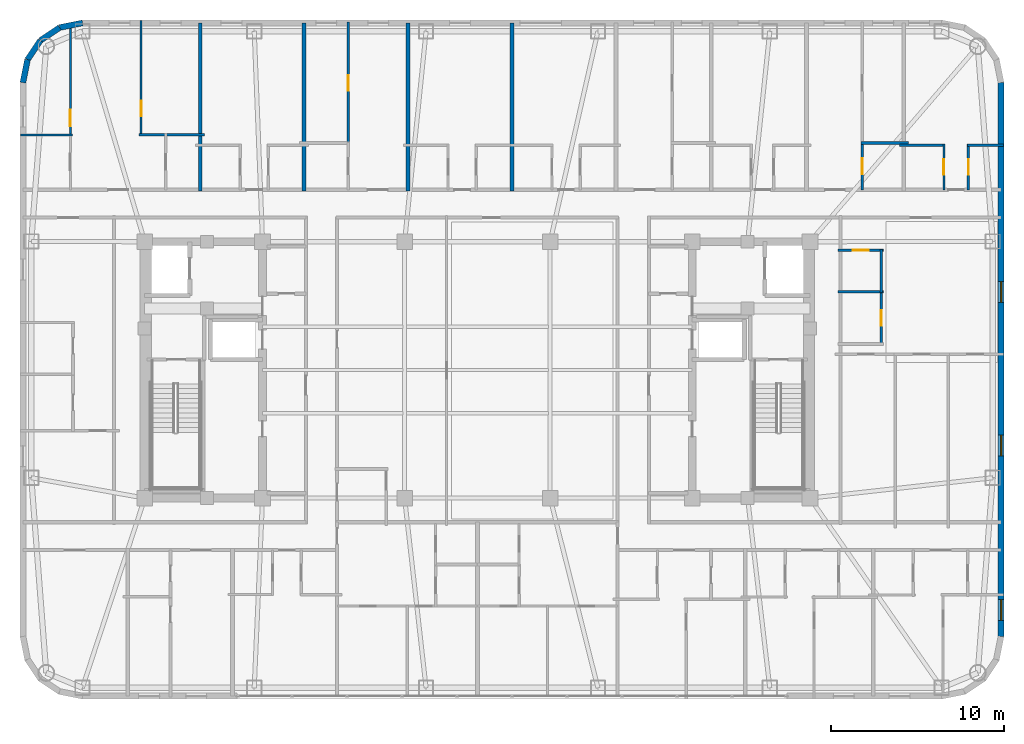
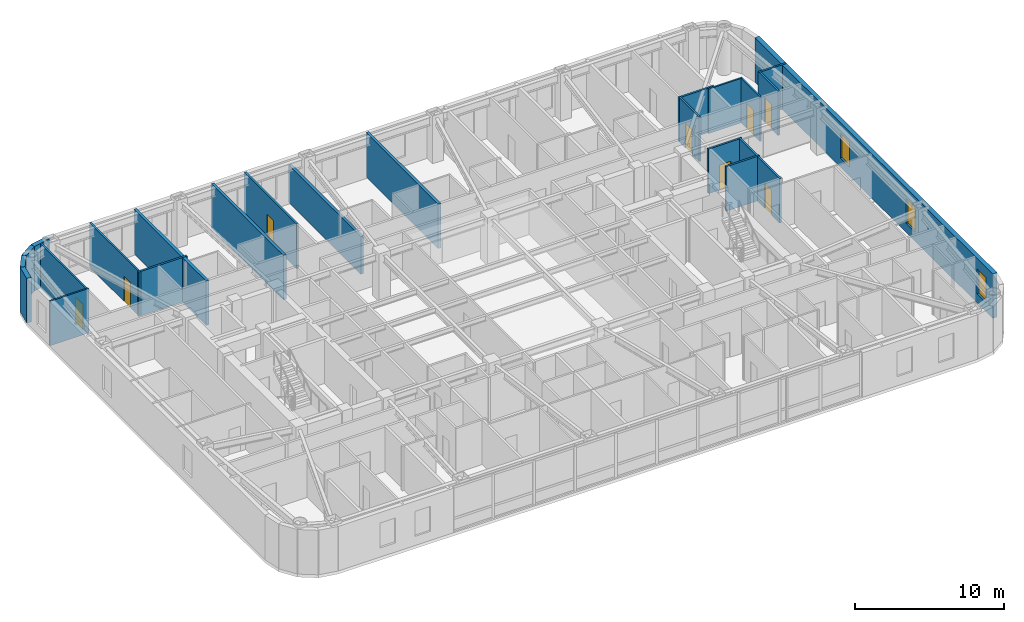
# One storey, part 13 of 16: 24 walls, 8 doors, 3 windows, 11 openings.
"""IFC4 building model written with IfcOpenShell, lengths in metres."""

from ifc_helpers import new_model, si_unit, direction, frame, frame_2d, origin, place, context, subcontext, project, spatial, rectangle, extrude, material, layer, layer_set, type_object, element, fill, save


model = new_model("IFC4")

# Units and contexts
model_context = context("Model", 3, precision=1e-05, world=origin(), true_north=direction((0.0, 1.0)))
body_context = subcontext(model_context, "Body", "Model", "MODEL_VIEW")
ifc_project = project(units=[si_unit("LENGTHUNIT", "METRE"), si_unit("AREAUNIT", "SQUARE_METRE"), si_unit("VOLUMEUNIT", "CUBIC_METRE"), si_unit("PLANEANGLEUNIT", "RADIAN"), si_unit("MASSUNIT", "GRAM", prefix="KILO")], contexts=[model_context])

# Site, building, storey
site_placement = place(None, origin())
site = spatial("IfcSite", under=ifc_project, at=site_placement, CompositionType="ELEMENT")
building_placement = place(site_placement, origin())
building = spatial("IfcBuilding", under=site, at=building_placement, Name="Voryun Gate Residences", CompositionType="ELEMENT")
storey_placement = place(building_placement, frame((0.0, 0.0, 208.0)))
storey = spatial("IfcBuildingStorey", under=building, at=storey_placement, Name="L51", CompositionType="ELEMENT", Elevation=208.0)

# Walls
ifc_material_1 = material(Name="Charcoal terracotta masonry", Category="masonry")
ifc_layer_1 = layer(ifc_material_1, 0.340087890625, Name="W_EXT_TERRACOTTA_340")
ifc_layer_set_1 = layer_set([ifc_layer_1], Name="Charcoal terracotta masonry")
wall_type_1 = type_object("IfcWallType", Name="W_EXT_TERRACOTTA_340", PredefinedType="ELEMENTEDWALL", material=ifc_layer_set_1)
wall_1_placement = place(storey_placement, frame((-26.22998046875, 16.583251953125, 0.0), z_axis=(0.0, 0.0, 1.0), x_axis=(0.195075878998, 0.980788153188, 0.0)))
element("IfcWall", 1, at=wall_1_placement, inside=storey, type_object=wall_type_1, Name="Exterior wall WEXT-L51-07", PredefinedType="ELEMENTEDWALL", context=body_context, shape_type="SweptSolid", body=[
    extrude(rectangle(XDim=1.354248046875, YDim=0.340087890625, at=frame_2d((0.67724609375, 0.0))), origin(), (0.0, 0.0, 1.0), 3.64990234375),
])
for number, where, z_axis, x_axis, name in (
    (2, (-25.9658203125, 17.911376953125, 0.0), (0.0, 0.0, 1.0), (0.555669034571, 0.831403586725, 0.0), "Exterior wall WEXT-L51-08"),
    (3, (-25.222900390625, 19.02294921875, 0.0), (0.0, 0.0, 1.0), (0.831403586725, 0.555669034571, 0.0), "Exterior wall WEXT-L51-09"),
):
    element("IfcWall", number, at=place(storey_placement, frame(where, z_axis=z_axis, x_axis=x_axis)), inside=storey, type_object=wall_type_1, Name=name, PredefinedType="ELEMENTEDWALL", context=body_context, shape_type="SweptSolid", body=[
        extrude(rectangle(XDim=1.3369140625, YDim=0.340087890625, at=frame_2d((0.66845703125, 0.0))), origin(), (0.0, 0.0, 1.0), 3.64990234375),
    ])
wall_2_placement = place(storey_placement, frame((-24.111328125, 19.765869140625, 0.0), z_axis=(0.0, 0.0, 1.0), x_axis=(0.980788153188, 0.195075878998, 0.0)))
element("IfcWall", 4, at=wall_2_placement, inside=storey, type_object=wall_type_1, Name="Exterior wall WEXT-L51-10", PredefinedType="ELEMENTEDWALL", context=body_context, shape_type="SweptSolid", body=[
    extrude(rectangle(XDim=1.354248046875, YDim=0.340087890625, at=frame_2d((0.67724609375, 0.0))), origin(), (0.0, 0.0, 1.0), 3.64990234375),
])

# Wall, openings, windows
wall_3_placement = place(storey_placement, frame((30.22998046875, 16.583251953125, 0.0), z_axis=(0.0, 0.0, 1.0), x_axis=(0.0, -1.0, 0.0)))
wall_3 = element("IfcWall", 5, at=wall_3_placement, inside=storey, type_object=wall_type_1, Name="Exterior wall WEXT-L51-16", PredefinedType="ELEMENTEDWALL", context=body_context, shape_type="SweptSolid", body=[
    extrude(rectangle(XDim=31.966552734375, YDim=0.340087890625, at=frame_2d((15.9833984375, 0.0))), origin(), (0.0, 0.0, 1.0), 3.64990234375),
])
opening_1_placement = place(wall_3_placement, frame((29.843505859375, 0.0, 0.75)))
opening_1 = element("IfcOpeningElement", 6, at=opening_1_placement, cuts=wall_3, Name="Opening WN6", PredefinedType="OPENING", context=body_context, shape_type="SweptSolid", body=[
    extrude(rectangle(XDim=1.199951171875, YDim=2.050048828125, at=frame_2d((0.60009765625, 1.02490234375))), frame((0.0, 0.179931640625, 0.0), z_axis=(0.0, -1.0, 0.0), x_axis=(1.0, 0.0, 0.0)), (0.0, 0.0, 1.0), 0.360107421875),
])
opening_2_placement = place(wall_3_placement, frame((11.48828125, 0.0, 0.75)))
opening_2 = element("IfcOpeningElement", 7, at=opening_2_placement, cuts=wall_3, Name="Opening WN6", PredefinedType="OPENING", context=body_context, shape_type="SweptSolid", body=[
    extrude(rectangle(XDim=1.199951171875, YDim=2.050048828125, at=frame_2d((0.60009765625, 1.02490234375))), frame((0.0, 0.179931640625, 0.0), z_axis=(0.0, -1.0, 0.0), x_axis=(1.0, 0.0, 0.0)), (0.0, 0.0, 1.0), 0.360107421875),
])
opening_3_placement = place(wall_3_placement, frame((20.33837890625, 0.0, 0.75)))
opening_3 = element("IfcOpeningElement", 8, at=opening_3_placement, cuts=wall_3, Name="Opening WN6", PredefinedType="OPENING", context=body_context, shape_type="SweptSolid", body=[
    extrude(rectangle(XDim=1.199951171875, YDim=2.050048828125, at=frame_2d((0.60009765625, 1.02490234375))), frame((0.0, 0.179931640625, 0.0), z_axis=(0.0, -1.0, 0.0), x_axis=(1.0, 0.0, 0.0)), (0.0, 0.0, 1.0), 0.360107421875),
])
ifc_material_2 = material(Name="Laminated low-E glass", Category="glass")
window_type = type_object("IfcWindowType", Name="WN_POD_SLOT_1200", PartitioningType="SINGLE_PANEL", PredefinedType="WINDOW", material=ifc_material_2)
window_1_placement = place(opening_1_placement, origin())
window_1 = element("IfcWindow", 9, at=window_1_placement, inside=storey, type_object=window_type, Name="Window WN-L51-DWFIX-18", OverallHeight=2.050048828125, OverallWidth=1.199951171875, PartitioningType="SINGLE_PANEL", PredefinedType="WINDOW", context=body_context, shape_type="SweptSolid", body=[
    extrude(rectangle(XDim=1.199951171875, YDim=2.050048828125, at=frame_2d((0.60009765625, 1.02490234375))), frame((0.0, 0.030029296875, 0.0), z_axis=(0.0, -1.0, 0.0), x_axis=(1.0, 0.0, 0.0)), (0.0, 0.0, 1.0), 0.06005859375),
])
fill(opening_1, window_1)
window_2_placement = place(opening_2_placement, origin())
window_2 = element("IfcWindow", 10, at=window_2_placement, inside=storey, type_object=window_type, Name="Window WN-L51-DWFIX-21", OverallHeight=2.050048828125, OverallWidth=1.199951171875, PartitioningType="SINGLE_PANEL", PredefinedType="WINDOW", context=body_context, shape_type="SweptSolid", body=[
    extrude(rectangle(XDim=1.199951171875, YDim=2.050048828125, at=frame_2d((0.60009765625, 1.02490234375))), frame((0.0, 0.030029296875, 0.0), z_axis=(0.0, -1.0, 0.0), x_axis=(1.0, 0.0, 0.0)), (0.0, 0.0, 1.0), 0.06005859375),
])
fill(opening_2, window_2)
window_3_placement = place(opening_3_placement, origin())
window_3 = element("IfcWindow", 11, at=window_3_placement, inside=storey, type_object=window_type, Name="Window WN-L51-DWFIX-22", OverallHeight=2.050048828125, OverallWidth=1.199951171875, PartitioningType="SINGLE_PANEL", PredefinedType="WINDOW", context=body_context, shape_type="SweptSolid", body=[
    extrude(rectangle(XDim=1.199951171875, YDim=2.050048828125, at=frame_2d((0.60009765625, 1.02490234375))), frame((0.0, 0.030029296875, 0.0), z_axis=(0.0, -1.0, 0.0), x_axis=(1.0, 0.0, 0.0)), (0.0, 0.0, 1.0), 0.06005859375),
])
fill(opening_3, window_3)

# Walls
ifc_material_3 = material(Name="Concrete C40/50", Category="concrete")
ifc_layer_2 = layer(ifc_material_3, 0.219970703125, Name="W_PARTY_ACOUSTIC_220")
ifc_layer_set_2 = layer_set([ifc_layer_2], Name="Concrete C40/50")
wall_type_2 = type_object("IfcWallType", Name="W_PARTY_ACOUSTIC_220", PredefinedType="PARTITIONING", material=ifc_layer_set_2)
for number, where, z_axis, x_axis, name in (
    (12, (-16.0, 10.320068359375, 0.0), (0.0, 0.0, 1.0), (0.0, 1.0, 0.0), "Partition wall WP-L51-NPTY-1"),
    (13, (-10.0, 10.320068359375, 0.0), (0.0, 0.0, 1.0), (0.0, 1.0, 0.0), "Partition wall WP-L51-NPTY-2"),
):
    element("IfcWall", number, at=place(storey_placement, frame(where, z_axis=z_axis, x_axis=x_axis)), inside=storey, type_object=wall_type_2, Name=name, PredefinedType="PARTITIONING", context=body_context, shape_type="SweptSolid", body=[
        extrude(rectangle(XDim=9.7099609375, YDim=0.219970703125, at=frame_2d((4.85498046875, 0.0))), origin(), (0.0, 0.0, 1.0), 3.64990234375),
    ])
wall_4_placement = place(storey_placement, frame((-4.0, 10.320068359375, 0.0), z_axis=(0.0, 0.0, 1.0), x_axis=(0.0, 1.0, 0.0)))
element("IfcWall", 14, at=wall_4_placement, inside=storey, type_object=wall_type_2, Name="Partition wall WP-L51-NPTY-3", PredefinedType="PARTITIONING", context=body_context, shape_type="SweptSolid", body=[
    extrude(rectangle(XDim=9.7099609375, YDim=0.219970703125, at=frame_2d((4.85498046875, 0.0))), origin(), (0.0, 0.0, 1.0), 3.090087890625),
])
wall_5_placement = place(storey_placement, frame((2.0, 10.320068359375, 0.0), z_axis=(0.0, 0.0, 1.0), x_axis=(0.0, 1.0, 0.0)))
element("IfcWall", 15, at=wall_5_placement, inside=storey, type_object=wall_type_2, Name="Partition wall WP-L51-NPTY-4", PredefinedType="PARTITIONING", context=body_context, shape_type="SweptSolid", body=[
    extrude(rectangle(XDim=9.7099609375, YDim=0.219970703125, at=frame_2d((4.85498046875, 0.0))), origin(), (0.0, 0.0, 1.0), 3.64990234375),
])

# Wall, opening, door
ifc_material_4 = material(Name="Gypsum acoustic partition")
ifc_layer_3 = layer(ifc_material_4, 0.125, Name="W_UNIT_PART_125")
ifc_layer_set_3 = layer_set([ifc_layer_3], Name="Gypsum acoustic partition")
wall_type_3 = type_object("IfcWallType", Name="W_UNIT_PART_125", PredefinedType="PARTITIONING", material=ifc_layer_set_3)
wall_6_placement = place(storey_placement, frame((-23.489013671875, 13.507568359375, 0.0), z_axis=(0.0, 0.0, 1.0), x_axis=(0.0, 1.0, 0.0)))
wall_6 = element("IfcWall", 16, at=wall_6_placement, inside=storey, type_object=wall_type_3, Name="Partition wall WP-L51-N1-OVL", PredefinedType="PARTITIONING", context=body_context, shape_type="SweptSolid", body=[
    extrude(rectangle(XDim=6.534912109375, YDim=0.125, at=frame_2d((3.267578125, 0.0))), origin(), (0.0, 0.0, 1.0), 3.64990234375),
])
opening_4_placement = place(wall_6_placement, frame((0.555908203125, 0.0, 0.0)))
opening_4 = element("IfcOpeningElement", 17, at=opening_4_placement, cuts=wall_6, Name="Opening D-INT-1", PredefinedType="OPENING", context=body_context, shape_type="SweptSolid", body=[
    extrude(rectangle(XDim=0.949951171875, YDim=2.050048828125, at=frame_2d((0.47509765625, 1.02490234375))), frame((0.0, 0.072509765625, 0.0), z_axis=(0.0, -1.0, 0.0), x_axis=(1.0, 0.0, 0.0)), (0.0, 0.0, 1.0), 0.14501953125),
])
ifc_material_5 = material(Name="Architectural oak veneer")
door_type_1 = type_object("IfcDoorType", Name="DR_INT_ROOM_950", OperationType="NOTDEFINED", PredefinedType="DOOR", material=ifc_material_5)
door_1_placement = place(opening_4_placement, origin())
door_1 = element("IfcDoor", 18, at=door_1_placement, inside=storey, type_object=door_type_1, Name="Door DR-L51-N1-DB2", OperationType="SINGLE_SWING_LEFT", OverallHeight=2.050048828125, OverallWidth=0.949951171875, PredefinedType="DOOR", context=body_context, shape_type="SweptSolid", body=[
    extrude(rectangle(XDim=0.949951171875, YDim=2.050048828125, at=frame_2d((0.47509765625, 1.02490234375))), frame((0.0, 0.02490234375, 0.0), z_axis=(0.0, -1.0, 0.0), x_axis=(1.0, 0.0, 0.0)), (0.0, 0.0, 1.0), 0.050048828125),
])
fill(opening_4, door_1)

wall_7_placement = place(storey_placement, frame((-19.409912109375, 13.489990234375, 0.0), z_axis=(0.0, 0.0, 1.0), x_axis=(0.0, 1.0, 0.0)))
wall_7 = element("IfcWall", 19, at=wall_7_placement, inside=storey, type_object=wall_type_3, Name="Partition wall WP-L51-N1-OVR", PredefinedType="PARTITIONING", context=body_context, shape_type="SweptSolid", body=[
    extrude(rectangle(XDim=6.68994140625, YDim=0.125, at=frame_2d((3.344970703125, 0.0))), origin(), (0.0, 0.0, 1.0), 3.64990234375),
])
opening_5_placement = place(wall_7_placement, frame((1.155517578125, 0.0, 0.0)))
opening_5 = element("IfcOpeningElement", 20, at=opening_5_placement, cuts=wall_7, Name="Opening D-INT-2", PredefinedType="OPENING", context=body_context, shape_type="SweptSolid", body=[
    extrude(rectangle(XDim=0.89990234375, YDim=2.050048828125, at=frame_2d((0.449951171875, 1.02490234375))), frame((0.0, 0.072509765625, 0.0), z_axis=(0.0, -1.0, 0.0), x_axis=(1.0, 0.0, 0.0)), (0.0, 0.0, 1.0), 0.14501953125),
])
ifc_material_6 = material(Name="Architectural oak veneer")
door_type_2 = type_object("IfcDoorType", Name="DR_INT_BATH_900", OperationType="NOTDEFINED", PredefinedType="DOOR", material=ifc_material_6)
door_2_placement = place(opening_5_placement, origin())
door_2 = element("IfcDoor", 21, at=door_2_placement, inside=storey, type_object=door_type_2, Name="Door DR-L51-N1-DMB", OperationType="SINGLE_SWING_RIGHT", OverallHeight=2.050048828125, OverallWidth=0.89990234375, PredefinedType="DOOR", context=body_context, shape_type="SweptSolid", body=[
    extrude(rectangle(XDim=0.89990234375, YDim=2.050048828125, at=frame_2d((0.449951171875, 1.02490234375))), frame((0.0, 0.02490234375, 0.0), z_axis=(0.0, -1.0, 0.0), x_axis=(1.0, 0.0, 0.0)), (0.0, 0.0, 1.0), 0.050048828125),
])
fill(opening_5, door_2)

# Wall
wall_8_placement = place(storey_placement, frame((-26.3798828125, 13.570068359375, 0.0), z_axis=(0.0, 0.0, 1.0), x_axis=(1.0, 0.0, 0.0)))
element("IfcWall", 22, at=wall_8_placement, inside=storey, type_object=wall_type_3, Name="Partition wall WP-L51-N1-HZK", PredefinedType="PARTITIONING", context=body_context, shape_type="SweptSolid", body=[
    extrude(rectangle(XDim=3.010986328125, YDim=0.125, at=frame_2d((1.50537109375, 0.0))), origin(), (0.0, 0.0, 1.0), 3.64990234375),
])

# Wall, opening, door
wall_9_placement = place(storey_placement, frame((26.927978515625, 10.3798828125, 0.0), z_axis=(0.0, 0.0, 1.0), x_axis=(0.0, 1.0, 0.0)))
wall_9 = element("IfcWall", 23, at=wall_9_placement, inside=storey, type_object=wall_type_3, Name="Partition wall WP-L51-N9-CVK", PredefinedType="PARTITIONING", context=body_context, shape_type="SweptSolid", body=[
    extrude(rectangle(XDim=2.650146484375, YDim=0.125, at=frame_2d((1.3251953125, 0.0))), origin(), (0.0, 0.0, 1.0), 3.64990234375),
])
opening_6_placement = place(wall_9_placement, frame((0.875, 0.0, 0.0)))
opening_6 = element("IfcOpeningElement", 24, at=opening_6_placement, cuts=wall_9, Name="Opening D-INT-2", PredefinedType="OPENING", context=body_context, shape_type="SweptSolid", body=[
    extrude(rectangle(XDim=0.89990234375, YDim=2.050048828125, at=frame_2d((0.449951171875, 1.02490234375))), frame((0.0, 0.072509765625, 0.0), z_axis=(0.0, -1.0, 0.0), x_axis=(1.0, 0.0, 0.0)), (0.0, 0.0, 1.0), 0.14501953125),
])
door_3_placement = place(opening_6_placement, origin())
door_3 = element("IfcDoor", 25, at=door_3_placement, inside=storey, type_object=door_type_2, Name="Door DR-L51-N9-DK", OperationType="SINGLE_SWING_LEFT", OverallHeight=2.050048828125, OverallWidth=0.89990234375, PredefinedType="DOOR", context=body_context, shape_type="SweptSolid", body=[
    extrude(rectangle(XDim=0.89990234375, YDim=2.050048828125, at=frame_2d((0.449951171875, 1.02490234375))), frame((0.0, 0.02490234375, 0.0), z_axis=(0.0, -1.0, 0.0), x_axis=(1.0, 0.0, 0.0)), (0.0, 0.0, 1.0), 0.050048828125),
])
fill(opening_6, door_3)

# Walls
wall_10_placement = place(storey_placement, frame((24.35791015625, 12.969970703125, 0.0), z_axis=(0.0, 0.0, 1.0), x_axis=(1.0, 0.0, 0.0)))
element("IfcWall", 26, at=wall_10_placement, inside=storey, type_object=wall_type_3, Name="Partition wall WP-L51-N9-CHK", PredefinedType="PARTITIONING", context=body_context, shape_type="SweptSolid", body=[
    extrude(rectangle(XDim=2.630126953125, YDim=0.125, at=frame_2d((1.31494140625, 0.0))), origin(), (0.0, 0.0, 1.0), 3.64990234375),
])
ifc_material_7 = material(Name="Gypsum moisture-resistant partition")
ifc_layer_4 = layer(ifc_material_7, 0.14990234375, Name="W_WET_PLUMB_150")
ifc_layer_set_4 = layer_set([ifc_layer_4], Name="Gypsum moisture-resistant partition")
wall_type_4 = type_object("IfcWallType", Name="W_WET_PLUMB_150", PredefinedType="PLUMBINGWALL", material=ifc_layer_set_4)
wall_11_placement = place(storey_placement, frame((-19.530029296875, 13.570068359375, 0.0), z_axis=(0.0, 0.0, 1.0), x_axis=(1.0, 0.0, 0.0)))
element("IfcWall", 27, at=wall_11_placement, inside=storey, type_object=wall_type_4, Name="Partition wall WP-L51-N1-HZB", PredefinedType="PLUMBINGWALL", context=body_context, shape_type="SweptSolid", body=[
    extrude(rectangle(XDim=3.7900390625, YDim=0.14990234375, at=frame_2d((1.89501953125, 0.0))), origin(), (0.0, 0.0, 1.0), 3.64990234375),
])

# Wall, opening, door
wall_12_placement = place(storey_placement, frame((-7.447021484375, 13.06005859375, 0.0), z_axis=(0.0, 0.0, 1.0), x_axis=(0.0, 1.0, 0.0)))
wall_12 = element("IfcWall", 28, at=wall_12_placement, inside=storey, type_object=wall_type_4, Name="Partition wall WP-L51-N3-SVT2", PredefinedType="PLUMBINGWALL", context=body_context, shape_type="SweptSolid", body=[
    extrude(rectangle(XDim=7.016845703125, YDim=0.14990234375, at=frame_2d((3.50830078125, 0.0))), origin(), (0.0, 0.0, 1.0), 3.64990234375),
])
opening_7_placement = place(wall_12_placement, frame((3.058349609375, 0.0, 0.0)))
opening_7 = element("IfcOpeningElement", 29, at=opening_7_placement, cuts=wall_12, Name="Opening D-INT-2", PredefinedType="OPENING", context=body_context, shape_type="SweptSolid", body=[
    extrude(rectangle(XDim=0.89990234375, YDim=2.050048828125, at=frame_2d((0.449951171875, 1.02490234375))), frame((0.0, 0.0849609375, 0.0), z_axis=(0.0, -1.0, 0.0), x_axis=(1.0, 0.0, 0.0)), (0.0, 0.0, 1.0), 0.169921875),
])
door_4_placement = place(opening_7_placement, origin())
door_4 = element("IfcDoor", 30, at=door_4_placement, inside=storey, type_object=door_type_2, Name="Door DR-L51-N3-DK", OperationType="SINGLE_SWING_RIGHT", OverallHeight=2.050048828125, OverallWidth=0.89990234375, PredefinedType="DOOR", context=body_context, shape_type="SweptSolid", body=[
    extrude(rectangle(XDim=0.89990234375, YDim=2.050048828125, at=frame_2d((0.449951171875, 1.02490234375))), frame((0.0, 0.02490234375, 0.0), z_axis=(0.0, -1.0, 0.0), x_axis=(1.0, 0.0, 0.0)), (0.0, 0.0, 1.0), 0.050048828125),
])
fill(opening_7, door_4)

# Wall
wall_13_placement = place(storey_placement, frame((22.14697265625, 13.10009765625, 0.0), z_axis=(0.0, 0.0, 1.0), x_axis=(1.0, 0.0, 0.0)))
element("IfcWall", 31, at=wall_13_placement, inside=storey, type_object=wall_type_4, Name="Partition wall WP-L51-N8-SKB", PredefinedType="PLUMBINGWALL", context=body_context, shape_type="SweptSolid", body=[
    extrude(rectangle(XDim=2.73095703125, YDim=0.14990234375, at=frame_2d((1.365478515625, 0.0))), origin(), (0.0, 0.0, 1.0), 3.64990234375),
])

# Wall, opening, door
wall_14_placement = place(storey_placement, frame((22.22705078125, 10.3798828125, 0.0), z_axis=(0.0, 0.0, 1.0), x_axis=(0.0, 1.0, 0.0)))
wall_14 = element("IfcWall", 32, at=wall_14_placement, inside=storey, type_object=wall_type_4, Name="Partition wall WP-L51-N8-SVT1", PredefinedType="PLUMBINGWALL", context=body_context, shape_type="SweptSolid", body=[
    extrude(rectangle(XDim=2.760009765625, YDim=0.14990234375, at=frame_2d((1.3798828125, 0.0))), origin(), (0.0, 0.0, 1.0), 3.64990234375),
])
opening_8_placement = place(wall_14_placement, frame((0.929931640625, 0.0, 0.0)))
opening_8 = element("IfcOpeningElement", 33, at=opening_8_placement, cuts=wall_14, Name="Opening D-INT-2", PredefinedType="OPENING", context=body_context, shape_type="SweptSolid", body=[
    extrude(rectangle(XDim=0.89990234375, YDim=2.050048828125, at=frame_2d((0.449951171875, 1.02490234375))), frame((0.0, 0.0849609375, 0.0), z_axis=(0.0, -1.0, 0.0), x_axis=(1.0, 0.0, 0.0)), (0.0, 0.0, 1.0), 0.169921875),
])
door_5_placement = place(opening_8_placement, origin())
door_5 = element("IfcDoor", 34, at=door_5_placement, inside=storey, type_object=door_type_2, Name="Door DR-L51-N8-DB", OperationType="SINGLE_SWING_LEFT", OverallHeight=2.050048828125, OverallWidth=0.89990234375, PredefinedType="DOOR", context=body_context, shape_type="SweptSolid", body=[
    extrude(rectangle(XDim=0.89990234375, YDim=2.050048828125, at=frame_2d((0.449951171875, 1.02490234375))), frame((0.0, 0.02490234375, 0.0), z_axis=(0.0, -1.0, 0.0), x_axis=(1.0, 0.0, 0.0)), (0.0, 0.0, 1.0), 0.050048828125),
])
fill(opening_8, door_5)

wall_15_placement = place(storey_placement, frame((28.346923828125, 10.3798828125, 0.0), z_axis=(0.0, 0.0, 1.0), x_axis=(0.0, 1.0, 0.0)))
wall_15 = element("IfcWall", 35, at=wall_15_placement, inside=storey, type_object=wall_type_4, Name="Partition wall WP-L51-N9-CVB", PredefinedType="PLUMBINGWALL", context=body_context, shape_type="SweptSolid", body=[
    extrude(rectangle(XDim=2.650146484375, YDim=0.14990234375, at=frame_2d((1.3251953125, 0.0))), origin(), (0.0, 0.0, 1.0), 3.64990234375),
])
opening_9_placement = place(wall_15_placement, frame((0.875, 0.0, 0.0)))
opening_9 = element("IfcOpeningElement", 36, at=opening_9_placement, cuts=wall_15, Name="Opening D-INT-2", PredefinedType="OPENING", context=body_context, shape_type="SweptSolid", body=[
    extrude(rectangle(XDim=0.89990234375, YDim=2.050048828125, at=frame_2d((0.449951171875, 1.02490234375))), frame((0.0, 0.0849609375, 0.0), z_axis=(0.0, -1.0, 0.0), x_axis=(1.0, 0.0, 0.0)), (0.0, 0.0, 1.0), 0.169921875),
])
door_6_placement = place(opening_9_placement, origin())
door_6 = element("IfcDoor", 37, at=door_6_placement, inside=storey, type_object=door_type_2, Name="Door DR-L51-N9-DB", OperationType="SINGLE_SWING_RIGHT", OverallHeight=2.050048828125, OverallWidth=0.89990234375, PredefinedType="DOOR", context=body_context, shape_type="SweptSolid", body=[
    extrude(rectangle(XDim=0.89990234375, YDim=2.050048828125, at=frame_2d((0.449951171875, 1.02490234375))), frame((0.0, 0.02490234375, 0.0), z_axis=(0.0, -1.0, 0.0), x_axis=(1.0, 0.0, 0.0)), (0.0, 0.0, 1.0), 0.050048828125),
])
fill(opening_9, door_6)

# Wall
wall_16_placement = place(storey_placement, frame((28.287109375, 12.969970703125, 0.0), z_axis=(0.0, 0.0, 1.0), x_axis=(1.0, 0.0, 0.0)))
element("IfcWall", 38, at=wall_16_placement, inside=storey, type_object=wall_type_4, Name="Partition wall WP-L51-N9-CHB", PredefinedType="PLUMBINGWALL", context=body_context, shape_type="SweptSolid", body=[
    extrude(rectangle(XDim=2.0927734375, YDim=0.14990234375, at=frame_2d((1.04638671875, 0.0))), origin(), (0.0, 0.0, 1.0), 3.64990234375),
])

# Wall, opening, door
wall_17_placement = place(storey_placement, frame((20.820068359375, 6.89990234375, 0.0), z_axis=(0.0, 0.0, 1.0), x_axis=(1.0, 0.0, 0.0)))
wall_17 = element("IfcWall", 39, at=wall_17_placement, inside=storey, type_object=wall_type_4, Name="Partition wall WP-L51-E1-IBT", PredefinedType="PLUMBINGWALL", context=body_context, shape_type="SweptSolid", body=[
    extrude(rectangle(XDim=2.619873046875, YDim=0.14990234375, at=frame_2d((1.31005859375, 0.0))), origin(), (0.0, 0.0, 1.0), 3.64990234375),
])
opening_10_placement = place(wall_17_placement, frame((0.860107421875, 0.0, 0.0)))
opening_10 = element("IfcOpeningElement", 40, at=opening_10_placement, cuts=wall_17, Name="Opening D-INT-2", PredefinedType="OPENING", context=body_context, shape_type="SweptSolid", body=[
    extrude(rectangle(XDim=0.89990234375, YDim=2.050048828125, at=frame_2d((0.449951171875, 1.02490234375))), frame((0.0, 0.0849609375, 0.0), z_axis=(0.0, -1.0, 0.0), x_axis=(1.0, 0.0, 0.0)), (0.0, 0.0, 1.0), 0.169921875),
])
door_7_placement = place(opening_10_placement, origin())
door_7 = element("IfcDoor", 41, at=door_7_placement, inside=storey, type_object=door_type_2, Name="Door DR-L51-E1-DK", OperationType="SINGLE_SWING_LEFT", OverallHeight=2.050048828125, OverallWidth=0.89990234375, PredefinedType="DOOR", context=body_context, shape_type="SweptSolid", body=[
    extrude(rectangle(XDim=0.89990234375, YDim=2.050048828125, at=frame_2d((0.449951171875, 1.02490234375))), frame((0.0, 0.02490234375, 0.0), z_axis=(0.0, -1.0, 0.0), x_axis=(1.0, 0.0, 0.0)), (0.0, 0.0, 1.0), 0.050048828125),
])
fill(opening_10, door_7)

# Wall
wall_18_placement = place(storey_placement, frame((20.820068359375, 4.52001953125, 0.0), z_axis=(0.0, 0.0, 1.0), x_axis=(1.0, 0.0, 0.0)))
element("IfcWall", 42, at=wall_18_placement, inside=storey, type_object=wall_type_4, Name="Partition wall WP-L51-E1-IKB", PredefinedType="PLUMBINGWALL", context=body_context, shape_type="SweptSolid", body=[
    extrude(rectangle(XDim=2.619873046875, YDim=0.14990234375, at=frame_2d((1.31005859375, 0.0))), origin(), (0.0, 0.0, 1.0), 3.64990234375),
])

# Wall, opening, door
wall_19_placement = place(storey_placement, frame((23.320068359375, 1.43994140625, 0.0), z_axis=(0.0, 0.0, 1.0), x_axis=(0.0, 1.0, 0.0)))
wall_19 = element("IfcWall", 43, at=wall_19_placement, inside=storey, type_object=wall_type_4, Name="Partition wall WP-L51-E1-VTSK1", PredefinedType="PLUMBINGWALL", context=body_context, shape_type="SweptSolid", body=[
    extrude(rectangle(XDim=3.1201171875, YDim=0.14990234375, at=frame_2d((1.56005859375, 0.0))), origin(), (0.0, 0.0, 1.0), 3.64990234375),
])
opening_11_placement = place(wall_19_placement, frame((1.110107421875, 0.0, 0.0)))
opening_11 = element("IfcOpeningElement", 44, at=opening_11_placement, cuts=wall_19, Name="Opening D-INT-2", PredefinedType="OPENING", context=body_context, shape_type="SweptSolid", body=[
    extrude(rectangle(XDim=0.89990234375, YDim=2.050048828125, at=frame_2d((0.449951171875, 1.02490234375))), frame((0.0, 0.0849609375, 0.0), z_axis=(0.0, -1.0, 0.0), x_axis=(1.0, 0.0, 0.0)), (0.0, 0.0, 1.0), 0.169921875),
])
door_8_placement = place(opening_11_placement, origin())
door_8 = element("IfcDoor", 45, at=door_8_placement, inside=storey, type_object=door_type_2, Name="Door DR-L51-E1-DB", OperationType="SINGLE_SWING_RIGHT", OverallHeight=2.050048828125, OverallWidth=0.89990234375, PredefinedType="DOOR", context=body_context, shape_type="SweptSolid", body=[
    extrude(rectangle(XDim=0.89990234375, YDim=2.050048828125, at=frame_2d((0.449951171875, 1.02490234375))), frame((0.0, 0.02490234375, 0.0), z_axis=(0.0, -1.0, 0.0), x_axis=(1.0, 0.0, 0.0)), (0.0, 0.0, 1.0), 0.050048828125),
])
fill(opening_11, door_8)

# Wall
wall_20_placement = place(storey_placement, frame((23.320068359375, 4.47998046875, 0.0), z_axis=(0.0, 0.0, 1.0), x_axis=(0.0, 1.0, 0.0)))
element("IfcWall", 46, at=wall_20_placement, inside=storey, type_object=wall_type_4, Name="Partition wall WP-L51-E1-VTSK2", PredefinedType="PLUMBINGWALL", context=body_context, shape_type="SweptSolid", body=[
    extrude(rectangle(XDim=2.47998046875, YDim=0.14990234375, at=frame_2d((1.239990234375, 0.0))), origin(), (0.0, 0.0, 1.0), 3.64990234375),
])

save(model, "model.ifc")
